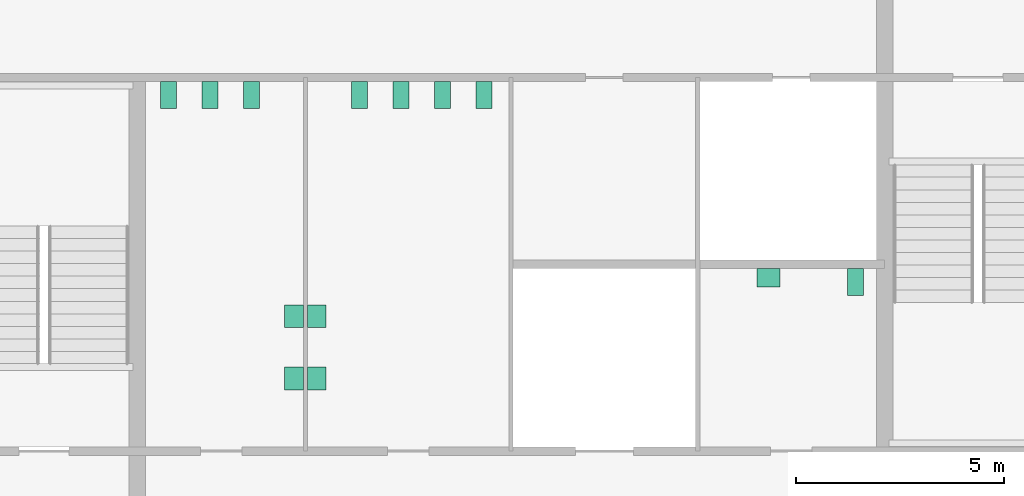
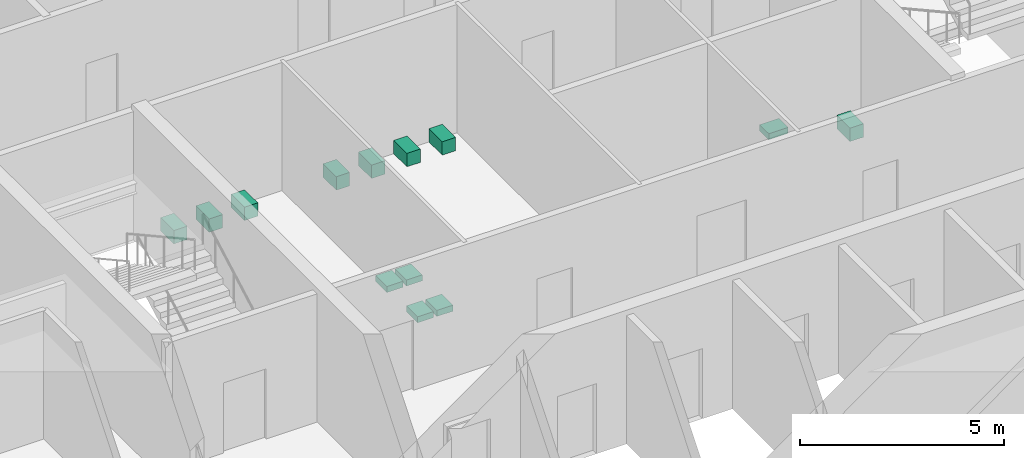
# One storey, part 14 of 14: 13 sanitary terminals.
"""IFC4 building model written with IfcOpenShell, lengths in metres."""

from ifc_helpers import new_model, si_unit, direction, frame, origin, origin_2d, place, context, subcontext, project, spatial, rectangle, extrude, material, type_object, element, save


model = new_model("IFC4")

# Units and contexts
model_context = context("Model", 3, precision=1e-05, world=origin(), true_north=direction((0.0, 1.0)))
body_context = subcontext(model_context, "Body", "Model", "MODEL_VIEW")
ifc_project = project(units=[si_unit("LENGTHUNIT", "METRE"), si_unit("AREAUNIT", "SQUARE_METRE"), si_unit("VOLUMEUNIT", "CUBIC_METRE"), si_unit("PLANEANGLEUNIT", "RADIAN"), si_unit("MASSUNIT", "GRAM", prefix="KILO")], contexts=[model_context])

# Site, building, storey
site_placement = place(None, origin())
site = spatial("IfcSite", under=ifc_project, at=site_placement, CompositionType="ELEMENT")
building_placement = place(site_placement, origin())
building = spatial("IfcBuilding", under=site, at=building_placement, Name="Corais Broadcast Tower", CompositionType="ELEMENT")
storey_placement = place(building_placement, frame((0.0, 0.0, 246.60009765625)))
storey = spatial("IfcBuildingStorey", under=building, at=storey_placement, Name="L57", CompositionType="ELEMENT", Elevation=246.60009765625)

# Sanitary terminals
ifc_material_1 = material(Name="Vitreous china", Category="ceramic")
sanitary_terminal_type_1 = type_object("IfcSanitaryTerminalType", Name="WC pan 380x650", PredefinedType="TOILETPAN", material=ifc_material_1)
for number, where, z_axis, x_axis, name in (
    (1, (18.75, 31.074951171875, 0.0), (0.0, 0.0, 1.0), (1.0, 0.0, 0.0), "SW1 WC pan, male toilets L57"),
    (2, (19.75, 31.074951171875, 0.0), (0.0, 0.0, 1.0), (1.0, 0.0, 0.0), "SW1 WC pan, male toilets L57"),
    (3, (20.75, 31.074951171875, 0.0), (0.0, 0.0, 1.0), (1.0, 0.0, 0.0), "SW1 WC pan, male toilets L57"),
    (4, (23.35009765625, 31.074951171875, 0.0), (0.0, 0.0, 1.0), (1.0, 0.0, 0.0), "SW1 WC pan, female toilets L57"),
    (5, (24.35009765625, 31.074951171875, 0.0), (0.0, 0.0, 1.0), (1.0, 0.0, 0.0), "SW1 WC pan, female toilets L57"),
    (6, (25.35009765625, 31.074951171875, 0.0), (0.0, 0.0, 1.0), (1.0, 0.0, 0.0), "SW1 WC pan, female toilets L57"),
    (7, (26.35009765625, 31.074951171875, 0.0), (0.0, 0.0, 1.0), (1.0, 0.0, 0.0), "SW1 WC pan, female toilets L57"),
    (8, (35.300048828125, 26.574951171875, 0.0), (0.0, 0.0, 1.0), (1.0, 0.0, 0.0), "SW1 WC pan, accessible WC L57"),
):
    element("IfcSanitaryTerminal", number, at=place(storey_placement, frame(where, z_axis=z_axis, x_axis=x_axis)), inside=storey, type_object=sanitary_terminal_type_1, Name=name, PredefinedType="TOILETPAN", context=body_context, shape_type="SweptSolid", body=[
        extrude(rectangle(XDim=0.3798828125, YDim=0.64990234375, at=origin_2d()), origin(), (0.0, 0.0, 1.0), 0.39990234375),
    ])
ifc_material_2 = material(Name="Vitreous china", Category="ceramic")
sanitary_terminal_type_2 = type_object("IfcSanitaryTerminalType", Name="Wash basin 550x450", PredefinedType="WASHHANDBASIN", material=ifc_material_2)
for number, where, z_axis, x_axis, name in (
    (9, (21.77490234375, 24.25, 0.69970703125), (0.0, 0.0, 1.0), (1.0, 0.0, 0.0), "WB1 wash basin, male toilets L57"),
    (10, (21.77490234375, 25.75, 0.69970703125), (0.0, 0.0, 1.0), (1.0, 0.0, 0.0), "WB1 wash basin, male toilets L57"),
    (11, (22.324951171875, 24.25, 0.69970703125), (0.0, 0.0, 1.0), (1.0, 0.0, 0.0), "WB1 wash basin, female toilets L57"),
    (12, (22.324951171875, 25.75, 0.69970703125), (0.0, 0.0, 1.0), (1.0, 0.0, 0.0), "WB1 wash basin, female toilets L57"),
):
    element("IfcSanitaryTerminal", number, at=place(storey_placement, frame(where, z_axis=z_axis, x_axis=x_axis)), inside=storey, type_object=sanitary_terminal_type_2, Name=name, PredefinedType="WASHHANDBASIN", context=body_context, shape_type="SweptSolid", body=[
        extrude(rectangle(XDim=0.449951171875, YDim=0.550048828125, at=origin_2d()), origin(), (0.0, 0.0, 1.0), 0.179931640625),
    ])
sanitary_terminal_placement = place(storey_placement, frame((33.199951171875, 26.675048828125, 0.69970703125), z_axis=(0.0, 0.0, 1.0), x_axis=(1.0, 0.0, 0.0)))
element("IfcSanitaryTerminal", 13, at=sanitary_terminal_placement, inside=storey, type_object=sanitary_terminal_type_2, Name="WB1 wash basin, accessible WC L57", PredefinedType="WASHHANDBASIN", context=body_context, shape_type="SweptSolid", body=[
    extrude(rectangle(XDim=0.550048828125, YDim=0.449951171875, at=origin_2d()), origin(), (0.0, 0.0, 1.0), 0.179931640625),
])

save(model, "model.ifc")
